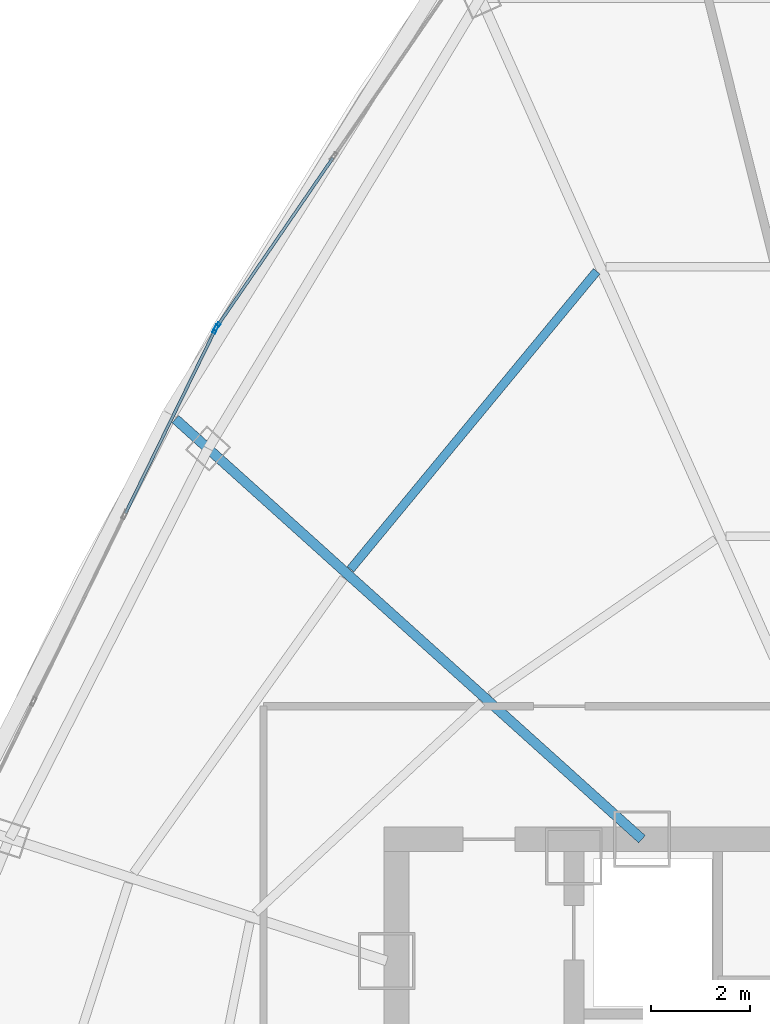
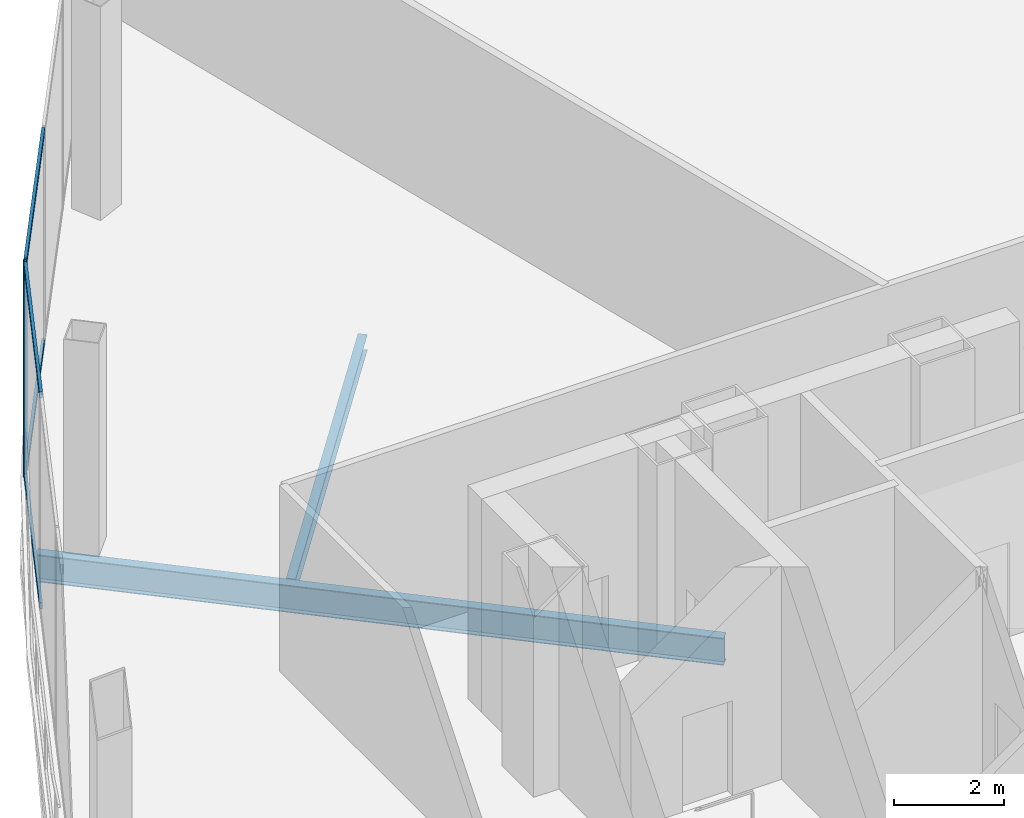
# One storey, part 11 of 32: 6 members, 2 beams, 2 elements without a shape of their own.
"""IFC4 building model written with IfcOpenShell, lengths in metres."""

from ifc_helpers import new_model, si_unit, direction, frame, origin, origin_2d, place, context, subcontext, project, spatial, hollow_rectangle, i_section, extrude, source, transform, mapped, material, layer, layer_set, material_profile, profile_set, type_object, element, aggregate, save


model = new_model("IFC4")

# Units and contexts
model_context = context("Model", 3, precision=1e-05, world=origin(), true_north=direction((0.0, 1.0)))
body_context = subcontext(model_context, "Body", "Model", "MODEL_VIEW")
ifc_project = project(units=[si_unit("LENGTHUNIT", "METRE"), si_unit("AREAUNIT", "SQUARE_METRE"), si_unit("VOLUMEUNIT", "CUBIC_METRE"), si_unit("PLANEANGLEUNIT", "RADIAN"), si_unit("MASSUNIT", "GRAM", prefix="KILO"), si_unit("THERMODYNAMICTEMPERATUREUNIT", "KELVIN"), si_unit("POWERUNIT", "WATT")], contexts=[model_context])

# Site, building, storey
site_placement = place(None, origin())
site = spatial("IfcSite", under=ifc_project, at=site_placement, CompositionType="ELEMENT")
building_placement = place(site_placement, origin())
building = spatial("IfcBuilding", under=site, at=building_placement, Name="Yunzhuo Pagoda Commons", CompositionType="ELEMENT")
storey_placement = place(building_placement, frame((0.0, 0.0, 396.760009765625)))
storey = spatial("IfcBuildingStorey", under=building, at=storey_placement, Name="L98", CompositionType="ELEMENT", Elevation=396.760009765625)

# Beams
ifc_material_1 = material(Name="Structural steel Q355B", Category="steel")
ifc_material_profile_1 = material_profile(ifc_material_1, i_section(OverallWidth=0.175048828125, OverallDepth=0.35009765625, WebThickness=0.007080078125, FlangeThickness=0.010986328125, at=origin_2d()), Name="Structural steel Q355B")
ifc_profile_set_1 = profile_set([ifc_material_profile_1], Name="Structural steel Q355B")
beam_type_1 = type_object("IfcBeamType", Name="B-JS2 Joist HN 350x175x7x11", PredefinedType="JOIST", material=ifc_profile_set_1)
shared_shape_1 = source(origin(), body_context, "Body", "SweptSolid", [
    extrude(i_section(OverallWidth=0.175048828125, OverallDepth=0.35009765625, WebThickness=0.007080078125, FlangeThickness=0.010986328125, at=origin_2d()), origin(), (0.0, 0.0, 1.0), 7.842529296875),
])
beam_1_placement = place(storey_placement, frame((39.861328125, 51.726318359375, -0.455078125), z_axis=(-0.636899145749, -0.770947130577, 0.0), x_axis=(0.770947130577, -0.636899145749, 0.0)))
element("IfcBeam", 1, at=beam_1_placement, inside=storey, type_object=beam_type_1, Name="L98 composite ring joist 2.9", PredefinedType="JOIST", context=body_context, shape_type="MappedRepresentation", body=[
    mapped(shared_shape_1, transform((0.0, 0.0, 0.0), scale=1.0)),
])
ifc_material_profile_2 = material_profile(ifc_material_1, i_section(OverallWidth=0.199951171875, OverallDepth=0.60009765625, WebThickness=0.010986328125, FlangeThickness=0.01708984375, at=origin_2d()), Name="Structural steel Q355B")
ifc_profile_set_2 = profile_set([ifc_material_profile_2], Name="Structural steel Q355B")
beam_type_2 = type_object("IfcBeamType", Name="B-RG3 Beam HN 600x200x11x17", PredefinedType="BEAM", material=ifc_profile_set_2)
shared_shape_2 = source(origin(), body_context, "Body", "SweptSolid", [
    extrude(i_section(OverallWidth=0.199951171875, OverallDepth=0.60009765625, WebThickness=0.010986328125, FlangeThickness=0.01708984375, at=origin_2d()), origin(), (0.0, 0.0, 1.0), 12.744140625),
])
beam_2_placement = place(storey_placement, frame((31.310302734375, 48.7275390625, -0.580078125), z_axis=(0.743139811769, -0.669136174605, 0.0), x_axis=(0.669136174605, 0.743139811769, 0.0)))
element("IfcBeam", 2, at=beam_2_placement, inside=storey, type_object=beam_type_2, Name="L98 radial floor girder F3C2", PredefinedType="BEAM", context=body_context, shape_type="MappedRepresentation", body=[
    mapped(shared_shape_2, transform((0.0, 0.0, 0.0), scale=1.0)),
])

# Curtain wall, member
ifc_material_2 = material(Name="Anodized aluminium 6063-T6", Category="aluminium")
ifc_layer = layer(ifc_material_2, 0.179931640625)
ifc_layer_set = layer_set([ifc_layer], Name="Anodized aluminium 6063-T6")
curtain_wall_type = type_object("IfcCurtainWallType", Name="CW-CRN Crown Gable Glazing System", PredefinedType="NOTDEFINED", material=ifc_layer_set)
curtain_wall_1_placement = place(storey_placement, origin())
curtain_wall_1 = element("IfcCurtainWall", 3, at=curtain_wall_1_placement, inside=storey, type_object=curtain_wall_type, Name="L98 curtain wall CW-L98-CRNF3G1", PredefinedType="NOTDEFINED")
ifc_material_profile_3 = material_profile(ifc_material_2, hollow_rectangle(XDim=0.06494140625, YDim=0.179931640625, WallThickness=0.00390625, at=origin_2d()), Name="Anodized aluminium 6063-T6")
ifc_profile_set_3 = profile_set([ifc_material_profile_3], Name="Anodized aluminium 6063-T6")
member_type_1 = type_object("IfcMemberType", Name="CW-CRN-M Mullion RHS 180x65x4", PredefinedType="MULLION", material=ifc_profile_set_3)
shared_shape_3 = source(origin(), body_context, "Body", "SweptSolid", [
    extrude(hollow_rectangle(XDim=0.06494140625, YDim=0.179931640625, WallThickness=0.00390625, at=origin_2d()), origin(), (0.0, 0.0, 1.0), 4.72021484375),
])
member_1_placement = place(storey_placement, frame((32.15283203125, 50.59912109375, 0.0), z_axis=(0.0, 0.0, 1.0), x_axis=(0.824296116005, -0.566158911561, 0.0)))
member_1 = element("IfcMember", 4, at=member_1_placement, type_object=member_type_1, Name="CW mullion 5", PredefinedType="MULLION", context=body_context, shape_type="MappedRepresentation", body=[
    mapped(shared_shape_3, transform((0.0, 0.0, 0.0), scale=1.0)),
])

# Curtain wall, members
curtain_wall_2_placement = place(storey_placement, origin())
curtain_wall_2 = element("IfcCurtainWall", 5, at=curtain_wall_2_placement, inside=storey, type_object=curtain_wall_type, Name="L98 curtain wall CW-L98-CRNF3G2", PredefinedType="NOTDEFINED")
member_2_placement = place(storey_placement, frame((32.126220703125, 50.55322265625, 0.0), z_axis=(0.0, 0.0, 1.0), x_axis=(0.898299261226, -0.439384156839, 0.0)))
member_2 = element("IfcMember", 6, at=member_2_placement, type_object=member_type_1, Name="CW mullion 1", PredefinedType="MULLION", context=body_context, shape_type="MappedRepresentation", body=[
    mapped(shared_shape_3, transform((0.0, 0.0, 0.0), scale=1.0)),
])
ifc_material_profile_4 = material_profile(ifc_material_2, hollow_rectangle(XDim=0.06005859375, YDim=0.139892578125, WallThickness=0.00341796875, at=origin_2d()), Name="Anodized aluminium 6063-T6")
ifc_profile_set_4 = profile_set([ifc_material_profile_4], Name="Anodized aluminium 6063-T6")
member_type_2 = type_object("IfcMemberType", Name="CW-CRN-T Transom RHS 140x60x3.5", PredefinedType="USERDEFINED", material=ifc_profile_set_4)
shared_shape_4 = source(origin(), body_context, "Body", "SweptSolid", [
    extrude(hollow_rectangle(XDim=0.06005859375, YDim=0.139892578125, WallThickness=0.00341796875, at=origin_2d()), origin(), (0.0, 0.0, 1.0), 4.12548828125),
])
member_3_placement = place(storey_placement, frame((32.1123046875, 50.524169921875, 0.030029296875), z_axis=(-0.439456356664, -0.898263942607, 0.0), x_axis=(0.898263942607, -0.439456356664, 0.0)))
member_3 = element("IfcMember", 7, at=member_3_placement, type_object=member_type_2, Name="CW transom 1.1", ObjectType="TRANSOM", PredefinedType="USERDEFINED", context=body_context, shape_type="MappedRepresentation", body=[
    mapped(shared_shape_4, transform((0.0, 0.0, 0.0), scale=1.0)),
])
member_4_placement = place(storey_placement, frame((32.1123046875, 50.524169921875, 4.68994140625), z_axis=(-0.439456356664, -0.898263942607, 0.0), x_axis=(0.898263942607, -0.439456356664, 0.0)))
member_4 = element("IfcMember", 8, at=member_4_placement, type_object=member_type_2, Name="CW transom 1.2", ObjectType="TRANSOM", PredefinedType="USERDEFINED", context=body_context, shape_type="MappedRepresentation", body=[
    mapped(shared_shape_4, transform((0.0, 0.0, 0.0), scale=1.0)),
])
aggregate(curtain_wall_2, [member_2, member_3, member_4])

# Member
shared_shape_5 = source(origin(), body_context, "Body", "SweptSolid", [
    extrude(hollow_rectangle(XDim=0.06005859375, YDim=0.139892578125, WallThickness=0.00341796875, at=origin_2d()), origin(), (0.0, 0.0, 1.0), 4.125244140625),
])
member_5_placement = place(storey_placement, frame((34.5068359375, 54.0263671875, 0.030029296875), z_axis=(-0.566146975172, -0.824304314258, 0.0), x_axis=(0.824304314258, -0.566146975172, 0.0)))
member_5 = element("IfcMember", 9, at=member_5_placement, type_object=member_type_2, Name="CW transom 4.1", ObjectType="TRANSOM", PredefinedType="USERDEFINED", context=body_context, shape_type="MappedRepresentation", body=[
    mapped(shared_shape_5, transform((0.0, 0.0, 0.0), scale=1.0)),
])

member_6_placement = place(storey_placement, frame((34.5068359375, 54.0263671875, 4.68994140625), z_axis=(-0.566146975172, -0.824304314258, 0.0), x_axis=(0.824304314258, -0.566146975172, 0.0)))
member_6 = element("IfcMember", 10, at=member_6_placement, type_object=member_type_2, Name="CW transom 4.2", ObjectType="TRANSOM", PredefinedType="USERDEFINED", context=body_context, shape_type="MappedRepresentation", body=[
    mapped(shared_shape_5, transform((0.0, 0.0, 0.0), scale=1.0)),
])

aggregate(curtain_wall_1, [member_1, member_5, member_6])

save(model, "model.ifc")
